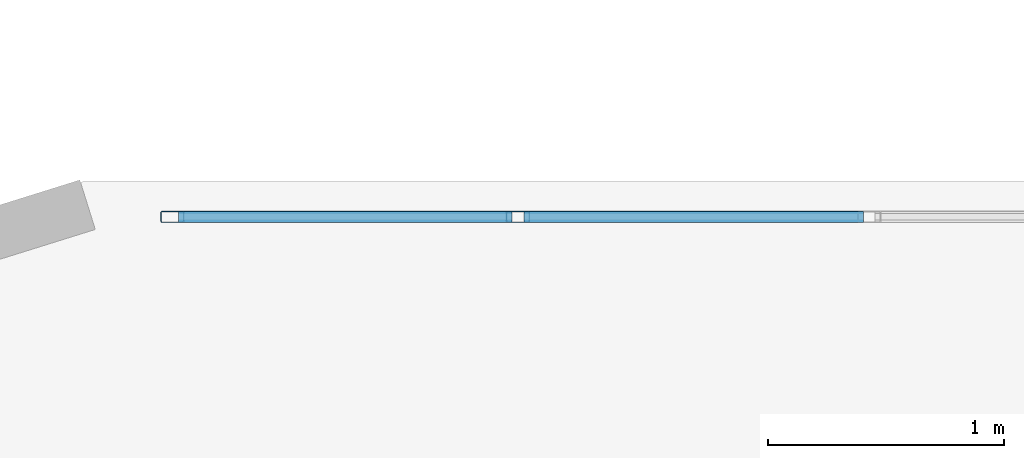
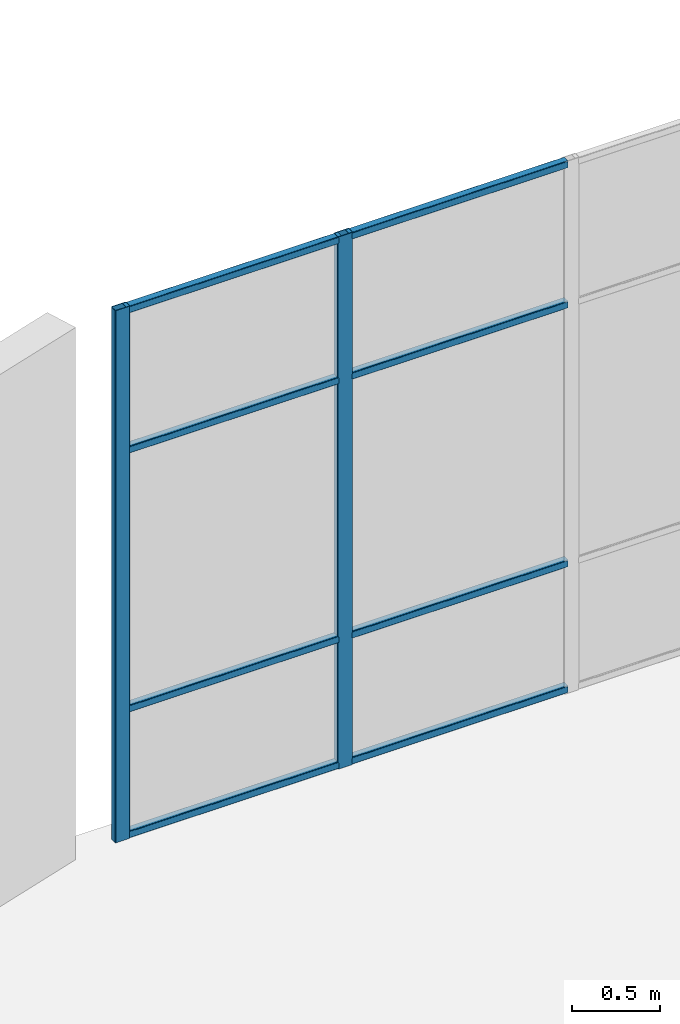
# One storey, part 4 of 66: 10 members, 1 element without a shape of its own.
"""IFC4 building model written with IfcOpenShell, lengths in metres."""

import ifcopenshell
import ifcopenshell.guid

model = None  # the IFC model being written
_history = None  # IfcOwnerHistory: only IFC2X3 demands one
_inside = {}  # id of a spatial element -> (the spatial element, [elements in it])
_under = {}  # id of a project, library or spatial element -> (it, [spatial elements below it])
_declared = {}  # id of a project -> (the project, [libraries it declares])
_typed = {}  # id of a type object -> (the type object, [elements of that type])
_made_of = {}  # id of a material, layer set ... -> (it, [elements and type objects made of it])


def new_model(schema):
    """Start an empty IFC model of exactly this schema.

    Asked for "IFC4X3", IfcOpenShell would pick the latest addendum, in which some entities
    have other attributes; the version numbers below select the first issue.
    IFC2X3 requires an IfcOwnerHistory on every rooted entity: one is made here for all.
    """
    global model, _history
    if schema == "IFC4X3":
        model = ifcopenshell.file(schema_version=(4, 3, 0, 0))
    else:
        model = ifcopenshell.file(schema=schema)
    _inside.clear()
    _under.clear()
    _declared.clear()
    _typed.clear()
    _made_of.clear()
    _history = None
    if model.schema == "IFC2X3":
        org = make("IfcOrganization", Name="unknown")
        user = make(
            "IfcPersonAndOrganization",
            ThePerson=make("IfcPerson", FamilyName="unknown"),
            TheOrganization=org,
        )
        app = make(
            "IfcApplication",
            ApplicationDeveloper=org,
            Version="unknown",
            ApplicationFullName="unknown",
            ApplicationIdentifier="unknown",
        )
        _history = make(
            "IfcOwnerHistory",
            OwningUser=user,
            OwningApplication=app,
            ChangeAction="ADDED",
            CreationDate=0,
        )
    return model


def make(cls, **values):
    """One entity of the class cls with the attributes given. An attribute that is None is left unset."""
    return model.create_entity(
        cls, **{name: value for name, value in values.items() if value is not None}
    )


def rooted(cls, **values):
    """An entity with a GlobalId (a new one), such as an element, a storey or a relation."""
    return make(cls, GlobalId=ifcopenshell.guid.new(), OwnerHistory=_history, **values)


def si_unit(unit_type, name, prefix=None):
    """IfcSIUnit, for example si_unit("LENGTHUNIT", "METRE", prefix="MILLI")."""
    return make("IfcSIUnit", UnitType=unit_type, Prefix=prefix, Name=name)


def assignment(units):
    """IfcUnitAssignment: the units of a project."""
    return None if units is None else make("IfcUnitAssignment", Units=units)


def point(xyz):
    """IfcCartesianPoint."""
    return None if xyz is None else make("IfcCartesianPoint", Coordinates=xyz)


def direction(xyz):
    """IfcDirection."""
    return None if xyz is None else make("IfcDirection", DirectionRatios=xyz)


def frame(location, z_axis=None, x_axis=None):
    """IfcAxis2Placement3D, a coordinate frame: its origin and axes. An axis left out is left unset."""
    return make(
        "IfcAxis2Placement3D",
        Location=point(location),
        Axis=direction(z_axis),
        RefDirection=direction(x_axis),
    )


def frame_2d(location, x_axis=None):
    """IfcAxis2Placement2D, a coordinate frame in the plane: its origin and x axis."""
    return make(
        "IfcAxis2Placement2D", Location=point(location), RefDirection=direction(x_axis)
    )


def origin():
    """The frame at (0, 0, 0) with its axes left unset."""
    return frame((0.0, 0.0, 0.0))


def origin_2d():
    """The frame at (0, 0) in the plane with its x axis left unset."""
    return frame_2d((0.0, 0.0))


def place(relative_to, where):
    """IfcLocalPlacement: puts the frame where relative to a parent placement (None: the world)."""
    return make(
        "IfcLocalPlacement", PlacementRelTo=relative_to, RelativePlacement=where
    )


def context(
    kind, dimensions, precision=None, world=None, true_north=None, identifier=None
):
    """IfcGeometricRepresentationContext, for example the 3D "Model" context."""
    return make(
        "IfcGeometricRepresentationContext",
        ContextIdentifier=identifier,
        ContextType=kind,
        CoordinateSpaceDimension=dimensions,
        Precision=precision,
        WorldCoordinateSystem=world,
        TrueNorth=true_north,
    )


def subcontext(parent, identifier, kind, view, scale=None):
    """IfcGeometricRepresentationSubContext, for example "Body" below "Model"."""
    return make(
        "IfcGeometricRepresentationSubContext",
        ContextIdentifier=identifier,
        ContextType=kind,
        ParentContext=parent,
        TargetScale=scale,
        TargetView=view,
    )


def project(units=None, contexts=None):
    """IfcProject with its units and contexts."""
    return rooted(
        "IfcProject",
        Name="project",
        RepresentationContexts=contexts,
        UnitsInContext=assignment(units),
    )


def spatial(cls, under=None, at=None, **own):
    """A site, building, storey or space (cls), placed at a placement, below another one or the project."""
    s = rooted(cls, ObjectPlacement=at, **own)
    if under is not None:
        _under.setdefault(under.id(), (under, []))[1].append(s)
    return s


def profile(cls, at=None, kind="AREA", **sizes):
    """A parametric profile (cls). Its sizes go by their IFC names, for example OverallWidth=200.0."""
    return make(cls, ProfileType=kind, Position=at, **sizes)


def hollow_rectangle(**sizes):
    """IfcRectangleHollowProfileDef."""
    return profile("IfcRectangleHollowProfileDef", **sizes)


def extrude(swept, where, along, depth):
    """IfcExtrudedAreaSolid: the profile swept, set in the frame where, extruded along a direction by depth."""
    return make(
        "IfcExtrudedAreaSolid",
        SweptArea=swept,
        Position=where,
        ExtrudedDirection=direction(along),
        Depth=depth,
    )


def shape(context_of_items, identifier, shape_type, items):
    """IfcShapeRepresentation: the items that make up one representation, for example the "Body"."""
    return make(
        "IfcShapeRepresentation",
        ContextOfItems=context_of_items,
        RepresentationIdentifier=identifier,
        RepresentationType=shape_type,
        Items=items,
    )


def material(Name=None, Category=None):
    """IfcMaterial."""
    return make("IfcMaterial", Name=Name, Category=Category)


def layer(
    of_material, thickness, ventilated=None, Name=None, Category=None, Priority=None
):
    """IfcMaterialLayer: one layer of a wall or slab, of a material (None: an air gap)."""
    return make(
        "IfcMaterialLayer",
        Material=of_material,
        LayerThickness=thickness,
        IsVentilated=ventilated,
        Name=Name,
        Category=Category,
        Priority=Priority,
    )


def layer_set(layers, Name=None):
    """IfcMaterialLayerSet."""
    return make("IfcMaterialLayerSet", MaterialLayers=layers, LayerSetName=Name)


def material_profile(
    of_material, cross_section, Name=None, Category=None, Priority=None
):
    """IfcMaterialProfile: a cross section and its material."""
    return make(
        "IfcMaterialProfile",
        Name=Name,
        Material=of_material,
        Profile=cross_section,
        Priority=Priority,
        Category=Category,
    )


def profile_set(profiles, Name=None, composite=None):
    """IfcMaterialProfileSet."""
    return make(
        "IfcMaterialProfileSet",
        Name=Name,
        MaterialProfiles=profiles,
        CompositeProfile=composite,
    )


def made_of(thing, what):
    """Note that an element or type object is made of a material, layer set ...; save() writes the relation."""
    if what is not None:
        _made_of.setdefault(what.id(), (what, []))[1].append(thing)
    return thing


def type_object(cls, material=None, **own):
    """A type object (cls), such as IfcWallType, which elements share."""
    return made_of(rooted(cls, **own), material)


def element(
    cls,
    number,
    at=None,
    inside=None,
    cuts=None,
    type_object=None,
    material=None,
    context=None,
    identifier="Body",
    shape_type=None,
    held_by="IfcProductDefinitionShape",
    body=None,
    shapes=None,
    **own,
):
    """One element of the class cls, such as IfcWall. Its Tag is "e" and its number.

    at: its placement. inside: the storey or other place that contains it. cuts: it is an
    opening in that element (IfcRelVoidsElement). A single representation is given by context,
    identifier, shape_type and body (its items); several are given by shapes. held_by: the class
    of the entity that holds the representations. save() writes the other relations.
    """
    e = rooted(cls, Tag="e%d" % number, ObjectPlacement=at, **own)
    if body is not None:
        shapes = [shape(context, identifier, shape_type, body)]
    if shapes is not None:
        e.Representation = make(held_by, Representations=shapes)
    if inside is not None:
        _inside.setdefault(inside.id(), (inside, []))[1].append(e)
    if cuts is not None:
        rooted(
            "IfcRelVoidsElement", RelatingBuildingElement=cuts, RelatedOpeningElement=e
        )
    if type_object is not None:
        _typed.setdefault(type_object.id(), (type_object, []))[1].append(e)
    return made_of(e, material)


def aggregate(whole, parts):
    """IfcRelAggregates: a whole, such as a stair, and the parts it consists of."""
    return rooted("IfcRelAggregates", RelatingObject=whole, RelatedObjects=parts)


def save(model, path):
    """Write the relations noted so far, then the file.

    IfcRelAggregates (storeys below a building ...), IfcRelContainedInSpatialStructure (elements
    in a storey), IfcRelDefinesByType, IfcRelAssociatesMaterial and IfcRelDeclares: one each for
    every whole, place, type object, material and project.
    """
    for whole, parts in _under.values():
        aggregate(whole, parts)
    for where, things in _inside.values():
        rooted(
            "IfcRelContainedInSpatialStructure",
            RelatedElements=things,
            RelatingStructure=where,
        )
    for kind, things in _typed.values():
        rooted("IfcRelDefinesByType", RelatedObjects=things, RelatingType=kind)
    for what, things in _made_of.values():
        rooted("IfcRelAssociatesMaterial", RelatedObjects=things, RelatingMaterial=what)
    for by, libraries in _declared.values():
        rooted("IfcRelDeclares", RelatingContext=by, RelatedDefinitions=libraries)
    model.write(path)


model = new_model("IFC4")

# Units and contexts
model_context = context("Model", 3, precision=1e-05, world=origin(), true_north=direction((0.0, 1.0)))
body_context = subcontext(model_context, "Body", "Model", "MODEL_VIEW")
ifc_project = project(units=[si_unit("LENGTHUNIT", "METRE"), si_unit("AREAUNIT", "SQUARE_METRE"), si_unit("VOLUMEUNIT", "CUBIC_METRE"), si_unit("PLANEANGLEUNIT", "RADIAN"), si_unit("MASSUNIT", "GRAM", prefix="KILO")], contexts=[model_context])

# Site, building, storey
site_placement = place(None, origin())
site = spatial("IfcSite", under=ifc_project, at=site_placement, CompositionType="ELEMENT")
building_placement = place(site_placement, origin())
building = spatial("IfcBuilding", under=site, at=building_placement, Name="Tuart Plaza Theatre", CompositionType="ELEMENT")
storey_placement = place(building_placement, frame((0.0, 0.0, 5.5)))
storey = spatial("IfcBuildingStorey", under=building, at=storey_placement, Name="L01", CompositionType="ELEMENT", Elevation=5.5)

# Curtain wall, members
ifc_material_1 = material(Name="Aluminium and glass", Category="aluminium")
ifc_layer = layer(ifc_material_1, 0.10009765625)
ifc_layer_set = layer_set([ifc_layer], Name="CURTAIN WALL 1500 module")
curtain_wall_type = type_object("IfcCurtainWallType", Name="CURTAIN WALL 1500 module", PredefinedType="NOTDEFINED", material=ifc_layer_set)
curtain_wall_placement = place(storey_placement, origin())
curtain_wall = element("IfcCurtainWall", 1, at=curtain_wall_placement, inside=storey, type_object=curtain_wall_type, Name="CW23", PredefinedType="NOTDEFINED")
ifc_material_2 = material(Name="Aluminium 6063-T5", Category="aluminium")
ifc_material_profile_1 = material_profile(ifc_material_2, hollow_rectangle(XDim=0.050048828125, YDim=0.10009765625, WallThickness=0.00390625, InnerFilletRadius=0.00390625, OuterFilletRadius=0.008056640625, at=origin_2d()), Name="RHS 100x50x4")
ifc_profile_set_1 = profile_set([ifc_material_profile_1], Name="Aluminium 6063-T5")
member_type_1 = type_object("IfcMemberType", Name="MULLION RHS 100x50x4", PredefinedType="MULLION", material=ifc_profile_set_1)
member_1_placement = place(storey_placement, frame((78.618896484375, 79.8369140625, 0.0), z_axis=(0.0, 0.0, 1.0), x_axis=(0.0, 1.0, 0.0)))
member_1 = element("IfcMember", 2, at=member_1_placement, type_object=member_type_1, Name="CW23 mullion 1", PredefinedType="MULLION", context=body_context, shape_type="SweptSolid", body=[
    extrude(hollow_rectangle(XDim=0.050048828125, YDim=0.10009765625, WallThickness=0.00390625, InnerFilletRadius=0.00390625, OuterFilletRadius=0.008056640625, at=origin_2d()), origin(), (0.0, 0.0, 1.0), 3.699951171875),
])
member_2_placement = place(storey_placement, frame((80.08349609375, 79.8369140625, 0.0), z_axis=(0.0, 0.0, 1.0), x_axis=(0.0, 1.0, 0.0)))
member_2 = element("IfcMember", 3, at=member_2_placement, type_object=member_type_1, Name="CW23 mullion 2", PredefinedType="MULLION", context=body_context, shape_type="SweptSolid", body=[
    extrude(hollow_rectangle(XDim=0.050048828125, YDim=0.10009765625, WallThickness=0.00390625, InnerFilletRadius=0.00390625, OuterFilletRadius=0.008056640625, at=origin_2d()), origin(), (0.0, 0.0, 1.0), 3.699951171875),
])
ifc_material_3 = material(Name="Aluminium 6063-T5", Category="aluminium")
ifc_material_profile_2 = material_profile(ifc_material_3, hollow_rectangle(XDim=0.050048828125, YDim=0.050048828125, WallThickness=0.00390625, InnerFilletRadius=0.00390625, OuterFilletRadius=0.008056640625, at=origin_2d()), Name="RHS 50x50x4")
ifc_profile_set_2 = profile_set([ifc_material_profile_2], Name="Aluminium 6063-T5")
member_type_2 = type_object("IfcMemberType", Name="TRANSOM RHS 50x50x4", PredefinedType="USERDEFINED", material=ifc_profile_set_2)
member_3_placement = place(storey_placement, frame((78.64404296875, 79.8369140625, 0.02490234375), z_axis=(1.0, 0.0, 0.0), x_axis=(0.0, 1.0, 0.0)))
member_3 = element("IfcMember", 4, at=member_3_placement, type_object=member_type_2, Name="CW23 transom 1.1", ObjectType="TRANSOM", PredefinedType="USERDEFINED", context=body_context, shape_type="SweptSolid", body=[
    extrude(hollow_rectangle(XDim=0.050048828125, YDim=0.050048828125, WallThickness=0.00390625, InnerFilletRadius=0.00390625, OuterFilletRadius=0.008056640625, at=origin_2d()), origin(), (0.0, 0.0, 1.0), 1.41455078125),
])
member_4_placement = place(storey_placement, frame((78.64404296875, 79.8369140625, 0.89990234375), z_axis=(1.0, 0.0, 0.0), x_axis=(0.0, 1.0, 0.0)))
member_4 = element("IfcMember", 5, at=member_4_placement, type_object=member_type_2, Name="CW23 transom 1.2", ObjectType="TRANSOM", PredefinedType="USERDEFINED", context=body_context, shape_type="SweptSolid", body=[
    extrude(hollow_rectangle(XDim=0.050048828125, YDim=0.050048828125, WallThickness=0.00390625, InnerFilletRadius=0.00390625, OuterFilletRadius=0.008056640625, at=origin_2d()), origin(), (0.0, 0.0, 1.0), 1.41455078125),
])
member_5_placement = place(storey_placement, frame((78.64404296875, 79.8369140625, 2.699951171875), z_axis=(1.0, 0.0, 0.0), x_axis=(0.0, 1.0, 0.0)))
member_5 = element("IfcMember", 6, at=member_5_placement, type_object=member_type_2, Name="CW23 transom 1.3", ObjectType="TRANSOM", PredefinedType="USERDEFINED", context=body_context, shape_type="SweptSolid", body=[
    extrude(hollow_rectangle(XDim=0.050048828125, YDim=0.050048828125, WallThickness=0.00390625, InnerFilletRadius=0.00390625, OuterFilletRadius=0.008056640625, at=origin_2d()), origin(), (0.0, 0.0, 1.0), 1.41455078125),
])
member_6_placement = place(storey_placement, frame((78.64404296875, 79.8369140625, 3.675048828125), z_axis=(1.0, 0.0, 0.0), x_axis=(0.0, 1.0, 0.0)))
member_6 = element("IfcMember", 7, at=member_6_placement, type_object=member_type_2, Name="CW23 transom 1.4", ObjectType="TRANSOM", PredefinedType="USERDEFINED", context=body_context, shape_type="SweptSolid", body=[
    extrude(hollow_rectangle(XDim=0.050048828125, YDim=0.050048828125, WallThickness=0.00390625, InnerFilletRadius=0.00390625, OuterFilletRadius=0.008056640625, at=origin_2d()), origin(), (0.0, 0.0, 1.0), 1.41455078125),
])
member_7_placement = place(storey_placement, frame((80.108642578125, 79.8369140625, 0.02490234375), z_axis=(1.0, 0.0, 0.0), x_axis=(0.0, 1.0, 0.0)))
member_7 = element("IfcMember", 8, at=member_7_placement, type_object=member_type_2, Name="CW23 transom 2.1", ObjectType="TRANSOM", PredefinedType="USERDEFINED", context=body_context, shape_type="SweptSolid", body=[
    extrude(hollow_rectangle(XDim=0.050048828125, YDim=0.050048828125, WallThickness=0.00390625, InnerFilletRadius=0.00390625, OuterFilletRadius=0.008056640625, at=origin_2d()), origin(), (0.0, 0.0, 1.0), 1.439453125),
])
member_8_placement = place(storey_placement, frame((80.108642578125, 79.8369140625, 0.89990234375), z_axis=(1.0, 0.0, 0.0), x_axis=(0.0, 1.0, 0.0)))
member_8 = element("IfcMember", 9, at=member_8_placement, type_object=member_type_2, Name="CW23 transom 2.2", ObjectType="TRANSOM", PredefinedType="USERDEFINED", context=body_context, shape_type="SweptSolid", body=[
    extrude(hollow_rectangle(XDim=0.050048828125, YDim=0.050048828125, WallThickness=0.00390625, InnerFilletRadius=0.00390625, OuterFilletRadius=0.008056640625, at=origin_2d()), origin(), (0.0, 0.0, 1.0), 1.439453125),
])
member_9_placement = place(storey_placement, frame((80.108642578125, 79.8369140625, 2.699951171875), z_axis=(1.0, 0.0, 0.0), x_axis=(0.0, 1.0, 0.0)))
member_9 = element("IfcMember", 10, at=member_9_placement, type_object=member_type_2, Name="CW23 transom 2.3", ObjectType="TRANSOM", PredefinedType="USERDEFINED", context=body_context, shape_type="SweptSolid", body=[
    extrude(hollow_rectangle(XDim=0.050048828125, YDim=0.050048828125, WallThickness=0.00390625, InnerFilletRadius=0.00390625, OuterFilletRadius=0.008056640625, at=origin_2d()), origin(), (0.0, 0.0, 1.0), 1.439453125),
])
member_10_placement = place(storey_placement, frame((80.108642578125, 79.8369140625, 3.675048828125), z_axis=(1.0, 0.0, 0.0), x_axis=(0.0, 1.0, 0.0)))
member_10 = element("IfcMember", 11, at=member_10_placement, type_object=member_type_2, Name="CW23 transom 2.4", ObjectType="TRANSOM", PredefinedType="USERDEFINED", context=body_context, shape_type="SweptSolid", body=[
    extrude(hollow_rectangle(XDim=0.050048828125, YDim=0.050048828125, WallThickness=0.00390625, InnerFilletRadius=0.00390625, OuterFilletRadius=0.008056640625, at=origin_2d()), origin(), (0.0, 0.0, 1.0), 1.439453125),
])
aggregate(curtain_wall, [member_1, member_2, member_3, member_4, member_5, member_6, member_7, member_8, member_9, member_10])

save(model, "model.ifc")
